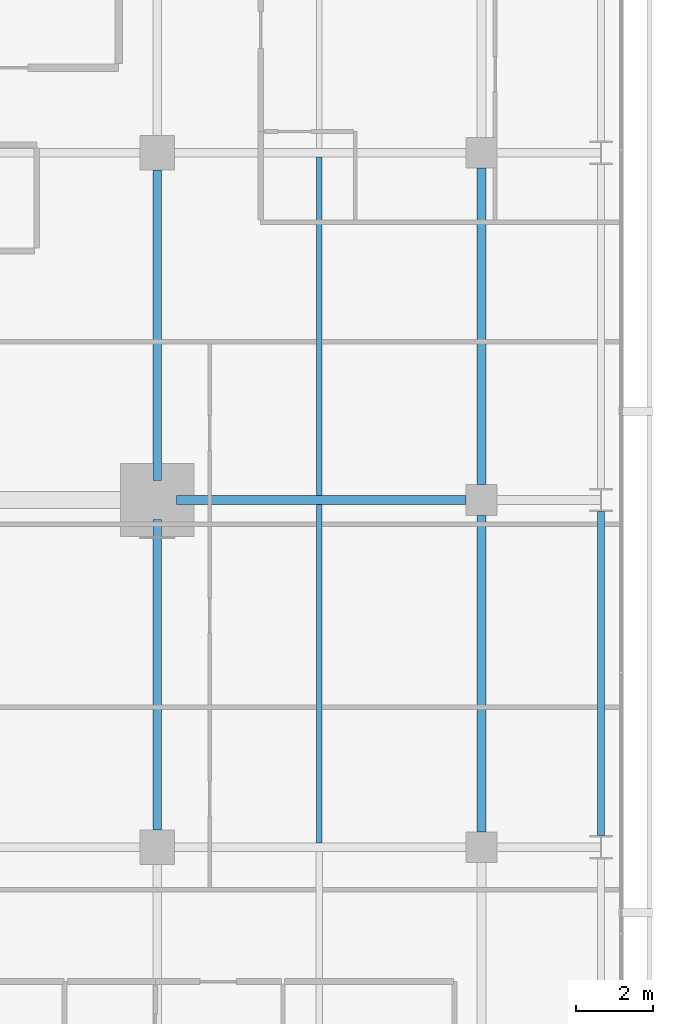
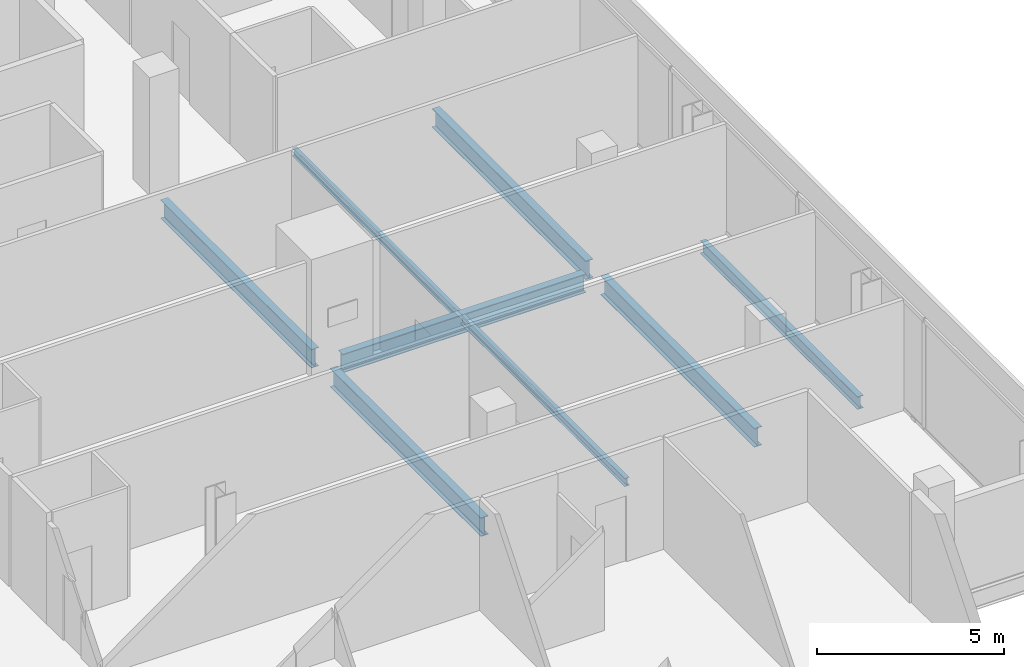
# One storey, part 16 of 33: 8 beams.
"""IFC4 building model written with IfcOpenShell, lengths in metres."""

from ifc_helpers import new_model, si_unit, direction, frame, origin, origin_2d, place, context, subcontext, project, spatial, i_section, extrude, material, material_profile, profile_set, type_object, element, save


model = new_model("IFC4")

# Units and contexts
model_context = context("Model", 3, precision=1e-05, world=origin(), true_north=direction((0.0, 1.0)))
body_context = subcontext(model_context, "Body", "Model", "MODEL_VIEW")
ifc_project = project(units=[si_unit("LENGTHUNIT", "METRE"), si_unit("AREAUNIT", "SQUARE_METRE"), si_unit("VOLUMEUNIT", "CUBIC_METRE"), si_unit("PLANEANGLEUNIT", "RADIAN"), si_unit("MASSUNIT", "GRAM", prefix="KILO")], contexts=[model_context])

# Site, building, storey
site_placement = place(None, origin())
site = spatial("IfcSite", under=ifc_project, at=site_placement, CompositionType="ELEMENT")
building_placement = place(site_placement, origin())
building = spatial("IfcBuilding", under=site, at=building_placement, Name="Maruvema Waterfront Hotel and Observation Tower", CompositionType="ELEMENT")
storey_placement = place(building_placement, frame((0.0, 0.0, 142.800048828125)))
storey = spatial("IfcBuildingStorey", under=building, at=storey_placement, Name="L34", CompositionType="ELEMENT", Elevation=142.800048828125)

# Beams
ifc_material_1 = material(Name="Steel ASTM A572 Grade 50", Category="steel")
ifc_material_profile_1 = material_profile(ifc_material_1, i_section(OverallWidth=0.180908203125, OverallDepth=0.4169921875, WebThickness=0.010986328125, FlangeThickness=0.018310546875, FilletRadius=0.014892578125, at=origin_2d()), Name="W410x85.0")
ifc_profile_set_1 = profile_set([ifc_material_profile_1], Name="Steel ASTM A572 Grade 50")
beam_type_1 = type_object("IfcBeamType", Name="Perimeter Spandrel Beam W410x85.0", PredefinedType="SPANDREL", material=ifc_profile_set_1)
beam_1_placement = place(storey_placement, frame((61.89990234375, 18.300048828125, -0.448486328125), z_axis=(0.0, 1.0, 0.0), x_axis=(-1.0, 0.0, 0.0)))
element("IfcBeam", 1, at=beam_1_placement, inside=storey, type_object=beam_type_1, Name="L34 Floor Girder NS-30", PredefinedType="SPANDREL", context=body_context, shape_type="SweptSolid", body=[
    extrude(i_section(OverallWidth=0.180908203125, OverallDepth=0.4169921875, WebThickness=0.010986328125, FlangeThickness=0.018310546875, FilletRadius=0.014892578125, at=origin_2d()), origin(), (0.0, 0.0, 1.0), 8.39990234375),
])
ifc_material_2 = material(Name="Steel ASTM A572 Grade 50", Category="steel")
ifc_material_profile_2 = material_profile(ifc_material_2, i_section(OverallWidth=0.22900390625, OverallDepth=0.612060546875, WebThickness=0.011962890625, FlangeThickness=0.01953125, FilletRadius=0.01806640625, at=origin_2d()), Name="W610x125.0")
ifc_profile_set_2 = profile_set([ifc_material_profile_2], Name="Steel ASTM A572 Grade 50")
beam_type_2 = type_object("IfcBeamType", Name="Primary Floor Girder W610x125.0", PredefinedType="BEAM", material=ifc_profile_set_2)
beam_2_placement = place(storey_placement, frame((50.89990234375, 27.0, -0.546142578125), z_axis=(1.0, 0.0, 0.0), x_axis=(0.0, 1.0, 0.0)))
element("IfcBeam", 2, at=beam_2_placement, inside=storey, type_object=beam_type_2, Name="L34 Floor Girder EW-21", PredefinedType="BEAM", context=body_context, shape_type="SweptSolid", body=[
    extrude(i_section(OverallWidth=0.22900390625, OverallDepth=0.612060546875, WebThickness=0.011962890625, FlangeThickness=0.01953125, FilletRadius=0.01806640625, at=origin_2d()), origin(), (0.0, 0.0, 1.0), 7.5),
])
for number, where, z_axis, x_axis, name in (
    (3, (50.39990234375, 18.449951171875, -0.546142578125), (0.0, 1.0, 0.0), (-1.0, 0.0, 0.0), "L34 Floor Girder NS-22"),
    (4, (50.39990234375, 27.5, -0.546142578125), (0.0, 1.0, 0.0), (-1.0, 0.0, 0.0), "L34 Floor Girder NS-23"),
):
    element("IfcBeam", number, at=place(storey_placement, frame(where, z_axis=z_axis, x_axis=x_axis)), inside=storey, type_object=beam_type_2, Name=name, PredefinedType="BEAM", context=body_context, shape_type="SweptSolid", body=[
        extrude(i_section(OverallWidth=0.22900390625, OverallDepth=0.612060546875, WebThickness=0.011962890625, FlangeThickness=0.01953125, FilletRadius=0.01806640625, at=origin_2d()), origin(), (0.0, 0.0, 1.0), 8.050048828125),
    ])
for number, where, z_axis, x_axis, name in (
    (5, (58.800048828125, 18.39990234375, -0.546142578125), (0.0, 1.0, 0.0), (-1.0, 0.0, 0.0), "L34 Floor Girder NS-26"),
    (6, (58.800048828125, 27.39990234375, -0.546142578125), (0.0, 1.0, 0.0), (-1.0, 0.0, 0.0), "L34 Floor Girder NS-27"),
):
    element("IfcBeam", number, at=place(storey_placement, frame(where, z_axis=z_axis, x_axis=x_axis)), inside=storey, type_object=beam_type_2, Name=name, PredefinedType="BEAM", context=body_context, shape_type="SweptSolid", body=[
        extrude(i_section(OverallWidth=0.22900390625, OverallDepth=0.612060546875, WebThickness=0.011962890625, FlangeThickness=0.01953125, FilletRadius=0.01806640625, at=origin_2d()), origin(), (0.0, 0.0, 1.0), 8.2001953125),
    ])
ifc_material_3 = material(Name="Steel ASTM A572 Grade 50", Category="steel")
ifc_material_profile_3 = material_profile(ifc_material_3, i_section(OverallWidth=0.14599609375, OverallDepth=0.258056640625, WebThickness=0.006103515625, FlangeThickness=0.009033203125, FilletRadius=0.012939453125, at=origin_2d()), Name="W250x32.7")
ifc_profile_set_3 = profile_set([ifc_material_profile_3], Name="Steel ASTM A572 Grade 50")
beam_type_3 = type_object("IfcBeamType", Name="Secondary Floor Joist W250x32.7", PredefinedType="JOIST", material=ifc_profile_set_3)
beam_3_placement = place(storey_placement, frame((54.60009765625, 27.114501953125, -0.369140625), z_axis=(0.0, 1.0, 0.0), x_axis=(-1.0, 0.0, 0.0)))
element("IfcBeam", 7, at=beam_3_placement, inside=storey, type_object=beam_type_3, Name="L34 Secondary Floor Joist JS-13", PredefinedType="JOIST", context=body_context, shape_type="SweptSolid", body=[
    extrude(i_section(OverallWidth=0.14599609375, OverallDepth=0.258056640625, WebThickness=0.006103515625, FlangeThickness=0.009033203125, FilletRadius=0.012939453125, at=origin_2d()), origin(), (0.0, 0.0, 1.0), 8.77099609375),
])
ifc_material_4 = material(Name="Steel ASTM A572 Grade 50", Category="steel")
ifc_material_profile_4 = material_profile(ifc_material_4, i_section(OverallWidth=0.14794921875, OverallDepth=0.26611328125, WebThickness=0.007568359375, FlangeThickness=0.012939453125, FilletRadius=0.012939453125, at=origin_2d()), Name="W250x44.8")
ifc_profile_set_4 = profile_set([ifc_material_profile_4], Name="Steel ASTM A572 Grade 50")
beam_type_4 = type_object("IfcBeamType", Name="Secondary Floor Joist W250x44.8", PredefinedType="JOIST", material=ifc_profile_set_4)
beam_4_placement = place(storey_placement, frame((54.60009765625, 18.114501953125, -0.373046875), z_axis=(0.0, 1.0, 0.0), x_axis=(-1.0, 0.0, 0.0)))
element("IfcBeam", 8, at=beam_4_placement, inside=storey, type_object=beam_type_4, Name="L34 Secondary Floor Joist JS-12", PredefinedType="JOIST", context=body_context, shape_type="SweptSolid", body=[
    extrude(i_section(OverallWidth=0.14794921875, OverallDepth=0.26611328125, WebThickness=0.007568359375, FlangeThickness=0.012939453125, FilletRadius=0.012939453125, at=origin_2d()), origin(), (0.0, 0.0, 1.0), 8.77099609375),
])

save(model, "model.ifc")
